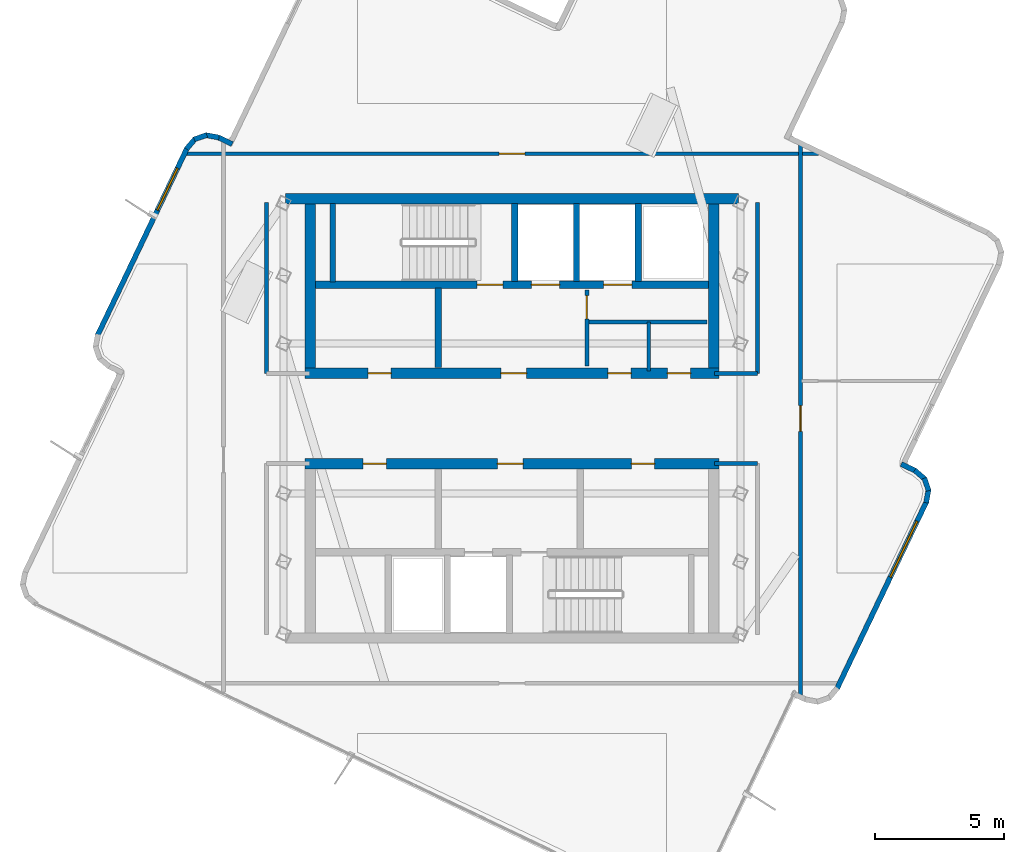
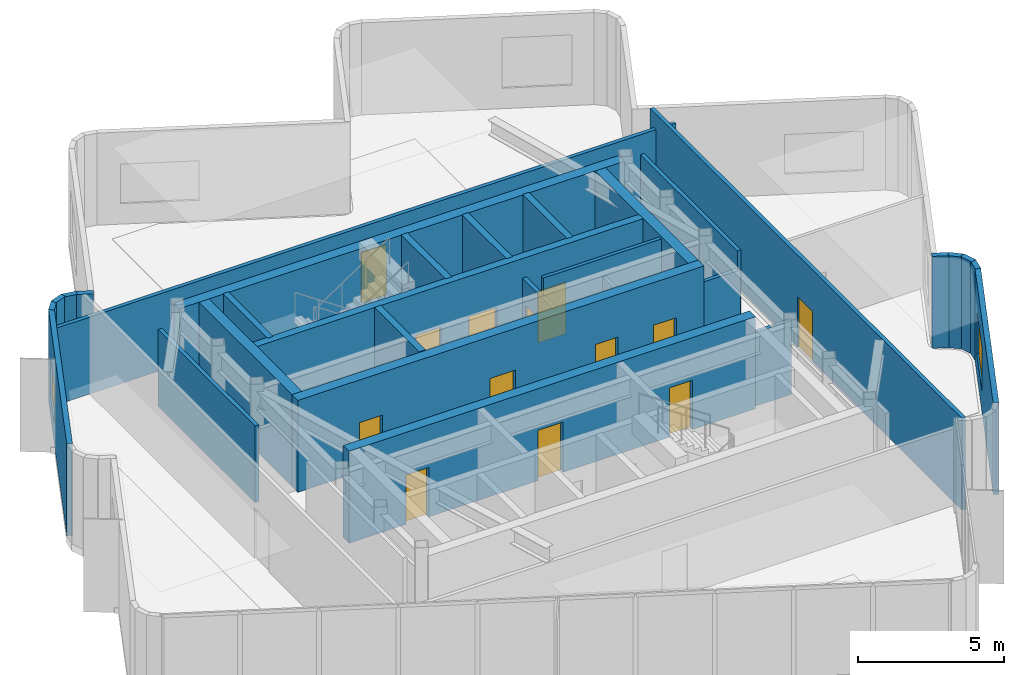
# One storey, part 4 of 8: 30 walls, 13 doors, 2 windows, 15 openings.
"""IFC4 building model written with IfcOpenShell, lengths in metres."""

from ifc_helpers import new_model, si_unit, direction, frame, frame_2d, origin, place, context, subcontext, project, spatial, rectangle, extrude, material, layer, layer_set, type_object, element, fill, save


model = new_model("IFC4")

# Units and contexts
model_context = context("Model", 3, precision=1e-05, world=origin(), true_north=direction((0.0, 1.0)))
body_context = subcontext(model_context, "Body", "Model", "MODEL_VIEW")
ifc_project = project(units=[si_unit("LENGTHUNIT", "METRE"), si_unit("AREAUNIT", "SQUARE_METRE"), si_unit("VOLUMEUNIT", "CUBIC_METRE"), si_unit("PLANEANGLEUNIT", "RADIAN"), si_unit("MASSUNIT", "GRAM", prefix="KILO")], contexts=[model_context])

# Site, building, storey
site_placement = place(None, origin())
site = spatial("IfcSite", under=ifc_project, at=site_placement, CompositionType="ELEMENT")
building_placement = place(site_placement, origin())
building = spatial("IfcBuilding", under=site, at=building_placement, Name="Solmarez Civic Tower", CompositionType="ELEMENT")
storey_placement = place(building_placement, frame((0.0, 0.0, 293.39990234375)))
storey = spatial("IfcBuildingStorey", under=building, at=storey_placement, Name="L79 Crown", CompositionType="ELEMENT", Elevation=293.39990234375)

# Wall
ifc_material_1 = material(Name="Concrete C50/60", Category="concrete")
ifc_layer_1 = layer(ifc_material_1, 0.39990234375)
ifc_layer_set_1 = layer_set([ifc_layer_1], Name="Concrete C50/60")
wall_type_1 = type_object("IfcWallType", Name="WALL-CORE-400", PredefinedType="SHEAR", material=ifc_layer_set_1)
wall_1_placement = place(storey_placement, frame((-8.780029296875, 8.510009765625, 0.0), z_axis=(0.0, 0.0, 1.0), x_axis=(1.0, 0.0, 0.0)))
element("IfcWall", 1, at=wall_1_placement, inside=storey, type_object=wall_type_1, Name="L79 Crown Split-Core Structural Wall NCW-N-L79 Crown", PredefinedType="SHEAR", context=body_context, shape_type="SweptSolid", body=[
    extrude(rectangle(XDim=17.56005859375, YDim=0.39990234375, at=frame_2d((8.780029296875, 0.0))), origin(), (0.0, 0.0, 1.0), 3.840087890625),
])

# Wall, openings, doors
wall_2_placement = place(storey_placement, frame((8.02001953125, 1.75, 0.0), z_axis=(0.0, 0.0, 1.0), x_axis=(-1.0, 0.0, 0.0)))
wall_2 = element("IfcWall", 2, at=wall_2_placement, inside=storey, type_object=wall_type_1, Name="L79 Crown Split-Core Structural Wall NCW-S-L79 Crown", PredefinedType="SHEAR", context=body_context, shape_type="SweptSolid", body=[
    extrude(rectangle(XDim=16.0400390625, YDim=0.39990234375, at=frame_2d((8.02001953125, 0.0))), origin(), (0.0, 0.0, 1.0), 3.840087890625),
])
opening_1_placement = place(wall_2_placement, frame((7.449951171875, 0.0, 0.0)))
opening_1 = element("IfcOpeningElement", 3, at=opening_1_placement, cuts=wall_2, Name="Opening D-04", PredefinedType="OPENING", context=body_context, shape_type="SweptSolid", body=[
    extrude(rectangle(XDim=1.0, YDim=2.10009765625, at=frame_2d((0.5, 1.050048828125))), frame((0.0, 0.2099609375, 0.0), z_axis=(0.0, -1.0, 0.0), x_axis=(1.0, 0.0, 0.0)), (0.0, 0.0, 1.0), 0.419921875),
])
opening_2_placement = place(wall_2_placement, frame((12.699951171875, 0.0, 0.0)))
opening_2 = element("IfcOpeningElement", 4, at=opening_2_placement, cuts=wall_2, Name="Opening D-09", PredefinedType="OPENING", context=body_context, shape_type="SweptSolid", body=[
    extrude(rectangle(XDim=0.89990234375, YDim=2.06005859375, at=frame_2d((0.449951171875, 1.030029296875))), frame((0.0, 0.2099609375, 0.0), z_axis=(0.0, -1.0, 0.0), x_axis=(1.0, 0.0, 0.0)), (0.0, 0.0, 1.0), 0.419921875),
])
opening_3_placement = place(wall_2_placement, frame((3.39990234375, 0.0, 0.0)))
opening_3 = element("IfcOpeningElement", 5, at=opening_3_placement, cuts=wall_2, Name="Opening D-09", PredefinedType="OPENING", context=body_context, shape_type="SweptSolid", body=[
    extrude(rectangle(XDim=0.89990234375, YDim=2.06005859375, at=frame_2d((0.449951171875, 1.030029296875))), frame((0.0, 0.2099609375, 0.0), z_axis=(0.0, -1.0, 0.0), x_axis=(1.0, 0.0, 0.0)), (0.0, 0.0, 1.0), 0.419921875),
])
opening_4_placement = place(wall_2_placement, frame((1.10009765625, 0.0, 0.0)))
opening_4 = element("IfcOpeningElement", 6, at=opening_4_placement, cuts=wall_2, Name="Opening D-09", PredefinedType="OPENING", context=body_context, shape_type="SweptSolid", body=[
    extrude(rectangle(XDim=0.89990234375, YDim=2.06005859375, at=frame_2d((0.449951171875, 1.030029296875))), frame((0.0, 0.2099609375, 0.0), z_axis=(0.0, -1.0, 0.0), x_axis=(1.0, 0.0, 0.0)), (0.0, 0.0, 1.0), 0.419921875),
])
ifc_material_2 = material(Name="Steel-Faced Acoustic Fire Door", Category="steel")
door_type_1 = type_object("IfcDoorType", Name="DOOR-FD60-1000", OperationType="NOTDEFINED", PredefinedType="DOOR", material=ifc_material_2)
door_1_placement = place(opening_1_placement, origin())
door_1 = element("IfcDoor", 7, at=door_1_placement, inside=storey, type_object=door_type_1, Name="L79 Crown North Firefighting Lobby Door", OperationType="SINGLE_SWING_RIGHT", OverallHeight=2.10009765625, OverallWidth=1.0, PredefinedType="DOOR", context=body_context, shape_type="SweptSolid", body=[
    extrude(rectangle(XDim=1.0, YDim=2.10009765625, at=frame_2d((0.5, 1.050048828125))), frame((0.0, 0.02490234375, 0.0), z_axis=(0.0, -1.0, 0.0), x_axis=(1.0, 0.0, 0.0)), (0.0, 0.0, 1.0), 0.050048828125),
])
fill(opening_1, door_1)
ifc_material_3 = material(Name="Fire-Rated Service Core Door", Category="wood")
door_type_2 = type_object("IfcDoorType", Name="DOOR-FD60-900", OperationType="NOTDEFINED", PredefinedType="DOOR", material=ifc_material_3)
door_2_placement = place(opening_2_placement, origin())
door_2 = element("IfcDoor", 8, at=door_2_placement, inside=storey, type_object=door_type_2, Name="L79 Crown Crown Catering Pantry Door", OperationType="SINGLE_SWING_LEFT", OverallHeight=2.06005859375, OverallWidth=0.89990234375, PredefinedType="DOOR", context=body_context, shape_type="SweptSolid", body=[
    extrude(rectangle(XDim=0.89990234375, YDim=2.06005859375, at=frame_2d((0.449951171875, 1.030029296875))), frame((0.0, 0.02490234375, 0.0), z_axis=(0.0, -1.0, 0.0), x_axis=(1.0, 0.0, 0.0)), (0.0, 0.0, 1.0), 0.050048828125),
])
fill(opening_2, door_2)
door_3_placement = place(opening_3_placement, origin())
door_3 = element("IfcDoor", 9, at=door_3_placement, inside=storey, type_object=door_type_2, Name="L79 Crown Core WC Door", OperationType="SINGLE_SWING_LEFT", OverallHeight=2.06005859375, OverallWidth=0.89990234375, PredefinedType="DOOR", context=body_context, shape_type="SweptSolid", body=[
    extrude(rectangle(XDim=0.89990234375, YDim=2.06005859375, at=frame_2d((0.449951171875, 1.030029296875))), frame((0.0, 0.02490234375, 0.0), z_axis=(0.0, -1.0, 0.0), x_axis=(1.0, 0.0, 0.0)), (0.0, 0.0, 1.0), 0.050048828125),
])
fill(opening_3, door_3)
door_4_placement = place(opening_4_placement, origin())
door_4 = element("IfcDoor", 10, at=door_4_placement, inside=storey, type_object=door_type_2, Name="L79 Crown Core CL Door", OperationType="SINGLE_SWING_RIGHT", OverallHeight=2.06005859375, OverallWidth=0.89990234375, PredefinedType="DOOR", context=body_context, shape_type="SweptSolid", body=[
    extrude(rectangle(XDim=0.89990234375, YDim=2.06005859375, at=frame_2d((0.449951171875, 1.030029296875))), frame((0.0, 0.02490234375, 0.0), z_axis=(0.0, -1.0, 0.0), x_axis=(1.0, 0.0, 0.0)), (0.0, 0.0, 1.0), 0.050048828125),
])
fill(opening_4, door_4)

# Walls
for number, where, z_axis, x_axis, name in (
    (11, (-7.820068359375, 1.949951171875, 0.0), (0.0, 0.0, 1.0), (0.0, 1.0, 0.0), "L79 Crown Split-Core Structural Wall NCW-W-L79 Crown"),
    (12, (7.820068359375, 8.31005859375, 0.0), (0.0, 0.0, 1.0), (0.0, -1.0, 0.0), "L79 Crown Split-Core Structural Wall NCW-E-L79 Crown"),
):
    element("IfcWall", number, at=place(storey_placement, frame(where, z_axis=z_axis, x_axis=x_axis)), inside=storey, type_object=wall_type_1, Name=name, PredefinedType="SHEAR", context=body_context, shape_type="SweptSolid", body=[
        extrude(rectangle(XDim=6.360107421875, YDim=0.39990234375, at=frame_2d((3.18017578125, 0.0))), origin(), (0.0, 0.0, 1.0), 3.840087890625),
    ])

# Wall, openings, doors
wall_3_placement = place(storey_placement, frame((-8.02001953125, -1.75, 0.0), z_axis=(0.0, 0.0, 1.0), x_axis=(1.0, 0.0, 0.0)))
wall_3 = element("IfcWall", 13, at=wall_3_placement, inside=storey, type_object=wall_type_1, Name="L79 Crown Split-Core Structural Wall SCW-N-L79 Crown", PredefinedType="SHEAR", context=body_context, shape_type="SweptSolid", body=[
    extrude(rectangle(XDim=16.0400390625, YDim=0.39990234375, at=frame_2d((8.02001953125, 0.0))), origin(), (0.0, 0.0, 1.0), 3.840087890625),
])
opening_5_placement = place(wall_3_placement, frame((7.449951171875, 0.0, 0.0)))
opening_5 = element("IfcOpeningElement", 14, at=opening_5_placement, cuts=wall_3, Name="Opening D-04", PredefinedType="OPENING", context=body_context, shape_type="SweptSolid", body=[
    extrude(rectangle(XDim=1.0, YDim=2.10009765625, at=frame_2d((0.5, 1.050048828125))), frame((0.0, 0.2099609375, 0.0), z_axis=(0.0, -1.0, 0.0), x_axis=(1.0, 0.0, 0.0)), (0.0, 0.0, 1.0), 0.419921875),
])
opening_6_placement = place(wall_3_placement, frame((12.64990234375, 0.0, 0.0)))
opening_6 = element("IfcOpeningElement", 15, at=opening_6_placement, cuts=wall_3, Name="Opening D-09", PredefinedType="OPENING", context=body_context, shape_type="SweptSolid", body=[
    extrude(rectangle(XDim=0.89990234375, YDim=2.06005859375, at=frame_2d((0.449951171875, 1.030029296875))), frame((0.0, 0.2099609375, 0.0), z_axis=(0.0, -1.0, 0.0), x_axis=(1.0, 0.0, 0.0)), (0.0, 0.0, 1.0), 0.419921875),
])
opening_7_placement = place(wall_3_placement, frame((2.25, 0.0, 0.0)))
opening_7 = element("IfcOpeningElement", 16, at=opening_7_placement, cuts=wall_3, Name="Opening D-09", PredefinedType="OPENING", context=body_context, shape_type="SweptSolid", body=[
    extrude(rectangle(XDim=0.89990234375, YDim=2.06005859375, at=frame_2d((0.449951171875, 1.030029296875))), frame((0.0, 0.2099609375, 0.0), z_axis=(0.0, -1.0, 0.0), x_axis=(1.0, 0.0, 0.0)), (0.0, 0.0, 1.0), 0.419921875),
])
door_5_placement = place(opening_5_placement, origin())
door_5 = element("IfcDoor", 17, at=door_5_placement, inside=storey, type_object=door_type_1, Name="L79 Crown South Firefighting Lobby Door", OperationType="SINGLE_SWING_LEFT", OverallHeight=2.10009765625, OverallWidth=1.0, PredefinedType="DOOR", context=body_context, shape_type="SweptSolid", body=[
    extrude(rectangle(XDim=1.0, YDim=2.10009765625, at=frame_2d((0.5, 1.050048828125))), frame((0.0, 0.02490234375, 0.0), z_axis=(0.0, -1.0, 0.0), x_axis=(1.0, 0.0, 0.0)), (0.0, 0.0, 1.0), 0.050048828125),
])
fill(opening_5, door_5)
door_6_placement = place(opening_6_placement, origin())
door_6 = element("IfcDoor", 18, at=door_6_placement, inside=storey, type_object=door_type_2, Name="L79 Crown Freed Hoistway Mailroom Door", OperationType="SINGLE_SWING_LEFT", OverallHeight=2.06005859375, OverallWidth=0.89990234375, PredefinedType="DOOR", context=body_context, shape_type="SweptSolid", body=[
    extrude(rectangle(XDim=0.89990234375, YDim=2.06005859375, at=frame_2d((0.449951171875, 1.030029296875))), frame((0.0, 0.02490234375, 0.0), z_axis=(0.0, -1.0, 0.0), x_axis=(1.0, 0.0, 0.0)), (0.0, 0.0, 1.0), 0.050048828125),
])
fill(opening_6, door_6)
door_7_placement = place(opening_7_placement, origin())
door_7 = element("IfcDoor", 19, at=door_7_placement, inside=storey, type_object=door_type_2, Name="L79 Crown Delegation Tea Pantry Door", OperationType="SINGLE_SWING_RIGHT", OverallHeight=2.06005859375, OverallWidth=0.89990234375, PredefinedType="DOOR", context=body_context, shape_type="SweptSolid", body=[
    extrude(rectangle(XDim=0.89990234375, YDim=2.06005859375, at=frame_2d((0.449951171875, 1.030029296875))), frame((0.0, 0.02490234375, 0.0), z_axis=(0.0, -1.0, 0.0), x_axis=(1.0, 0.0, 0.0)), (0.0, 0.0, 1.0), 0.050048828125),
])
fill(opening_7, door_7)

# Wall, opening, window
ifc_material_4 = material(Name="Precast concrete C40/50", Category="concrete")
ifc_layer_2 = layer(ifc_material_4, 0.199951171875)
ifc_layer_set_2 = layer_set([ifc_layer_2], Name="Precast concrete C40/50")
wall_type_2 = type_object("IfcWallType", Name="WALL-EXT-200", PredefinedType="SOLIDWALL", material=ifc_layer_set_2)
wall_4_placement = place(storey_placement, frame((-16.06396484375, 3.218017578125, 0.0), z_axis=(0.0, 0.0, 1.0), x_axis=(0.431506971387, 0.902109601791, 0.0)))
wall_4 = element("IfcWall", 20, at=wall_4_placement, inside=storey, type_object=wall_type_2, Name="L79 Crown Exterior Precast Wall 17", PredefinedType="SOLIDWALL", context=body_context, shape_type="SweptSolid", body=[
    extrude(rectangle(XDim=8.0556640625, YDim=0.199951171875, at=frame_2d((4.02783203125, 0.0))), origin(), (0.0, 0.0, 1.0), 3.840087890625),
])
opening_8_placement = place(wall_4_placement, frame((5.383056640625, 0.0, 0.85009765625)))
opening_8 = element("IfcOpeningElement", 21, at=opening_8_placement, cuts=wall_4, Name="Opening W-12", PredefinedType="OPENING", context=body_context, shape_type="SweptSolid", body=[
    extrude(rectangle(XDim=1.800048828125, YDim=1.60009765625, at=frame_2d((0.89990234375, 0.800048828125))), frame((0.0, 0.10986328125, 0.0), z_axis=(0.0, -1.0, 0.0), x_axis=(1.0, 0.0, 0.0)), (0.0, 0.0, 1.0), 0.219970703125),
])
ifc_material_5 = material(Name="Solar Control Bronze-Tinted Insulating Glass", Category="glass")
window_type_1 = type_object("IfcWindowType", Name="WIN-1800X1600", PartitioningType="SINGLE_PANEL", PredefinedType="WINDOW", material=ifc_material_5)
window_1_placement = place(opening_8_placement, origin())
window_1 = element("IfcWindow", 22, at=window_1_placement, inside=storey, type_object=window_type_1, Name="L79 Crown Exterior Facade Window 17", OverallHeight=1.60009765625, OverallWidth=1.800048828125, PartitioningType="SINGLE_PANEL", PredefinedType="WINDOW", context=body_context, shape_type="SweptSolid", body=[
    extrude(rectangle(XDim=1.800048828125, YDim=1.60009765625, at=frame_2d((0.89990234375, 0.800048828125))), frame((0.0, 0.030029296875, 0.0), z_axis=(0.0, -1.0, 0.0), x_axis=(1.0, 0.0, 0.0)), (0.0, 0.0, 1.0), 0.06005859375),
])
fill(opening_8, window_1)

# Walls
wall_5_placement = place(storey_placement, frame((-12.614990234375, 10.443115234375, 0.0), z_axis=(0.0, 0.0, 1.0), x_axis=(0.649072802024, 0.760726296162, 0.0)))
element("IfcWall", 23, at=wall_5_placement, inside=storey, type_object=wall_type_2, Name="L79 Crown Exterior Precast Wall 18", PredefinedType="SOLIDWALL", context=body_context, shape_type="SweptSolid", body=[
    extrude(rectangle(XDim=0.52685546875, YDim=0.199951171875, at=frame_2d((0.263427734375, 0.0))), origin(), (0.0, 0.0, 1.0), 3.840087890625),
])
wall_6_placement = place(storey_placement, frame((-12.31298828125, 10.81689453125, 0.0), z_axis=(0.0, 0.0, 1.0), x_axis=(0.943836182575, 0.3304137716, 0.0)))
element("IfcWall", 24, at=wall_6_placement, inside=storey, type_object=wall_type_2, Name="L79 Crown Exterior Precast Wall 19", PredefinedType="SOLIDWALL", context=body_context, shape_type="SweptSolid", body=[
    extrude(rectangle(XDim=0.514892578125, YDim=0.199951171875, at=frame_2d((0.25732421875, 0.0))), origin(), (0.0, 0.0, 1.0), 3.840087890625),
])
wall_7_placement = place(storey_placement, frame((-11.8759765625, 10.98388671875, 0.0), z_axis=(0.0, 0.0, 1.0), x_axis=(0.983070163766, -0.183229509397, 0.0)))
element("IfcWall", 25, at=wall_7_placement, inside=storey, type_object=wall_type_2, Name="L79 Crown Exterior Precast Wall 20", PredefinedType="SOLIDWALL", context=body_context, shape_type="SweptSolid", body=[
    extrude(rectangle(XDim=0.529052734375, YDim=0.199951171875, at=frame_2d((0.2646484375, 0.0))), origin(), (0.0, 0.0, 1.0), 3.840087890625),
])
wall_8_placement = place(storey_placement, frame((-11.404052734375, 10.903076171875, 0.0), z_axis=(0.0, 0.0, 1.0), x_axis=(0.901682192305, -0.432399380296, 0.0)))
element("IfcWall", 26, at=wall_8_placement, inside=storey, type_object=wall_type_2, Name="L79 Crown Exterior Precast Wall 21", PredefinedType="SOLIDWALL", context=body_context, shape_type="SweptSolid", body=[
    extrude(rectangle(XDim=0.622314453125, YDim=0.199951171875, at=frame_2d((0.31103515625, 0.0))), origin(), (0.0, 0.0, 1.0), 3.840087890625),
])
wall_9_placement = place(storey_placement, frame((15.0849609375, -1.764892578125, 0.0), z_axis=(0.0, 0.0, 1.0), x_axis=(0.901069775832, -0.433674139282, 0.0)))
element("IfcWall", 27, at=wall_9_placement, inside=storey, type_object=wall_type_2, Name="L79 Crown Exterior Precast Wall 49", PredefinedType="SOLIDWALL", context=body_context, shape_type="SweptSolid", body=[
    extrude(rectangle(XDim=0.62255859375, YDim=0.199951171875, at=frame_2d((0.311279296875, 0.0))), origin(), (0.0, 0.0, 1.0), 3.840087890625),
])
wall_10_placement = place(storey_placement, frame((15.60400390625, -2.008056640625, 0.0), z_axis=(0.0, 0.0, 1.0), x_axis=(0.760726296162, -0.649072802024, 0.0)))
element("IfcWall", 28, at=wall_10_placement, inside=storey, type_object=wall_type_2, Name="L79 Crown Exterior Precast Wall 50", PredefinedType="SOLIDWALL", context=body_context, shape_type="SweptSolid", body=[
    extrude(rectangle(XDim=0.52685546875, YDim=0.199951171875, at=frame_2d((0.263427734375, 0.0))), origin(), (0.0, 0.0, 1.0), 3.840087890625),
])
wall_11_placement = place(storey_placement, frame((15.97802734375, -2.31005859375, 0.0), z_axis=(0.0, 0.0, 1.0), x_axis=(0.330139130112, -0.943932282936, 0.0)))
element("IfcWall", 29, at=wall_11_placement, inside=storey, type_object=wall_type_2, Name="L79 Crown Exterior Precast Wall 51", PredefinedType="SOLIDWALL", context=body_context, shape_type="SweptSolid", body=[
    extrude(rectangle(XDim=0.5146484375, YDim=0.199951171875, at=frame_2d((0.25732421875, 0.0))), origin(), (0.0, 0.0, 1.0), 3.840087890625),
])
wall_12_placement = place(storey_placement, frame((16.14501953125, -2.7470703125, 0.0), z_axis=(0.0, 0.0, 1.0), x_axis=(-0.183562644201, -0.983008014033, 0.0)))
element("IfcWall", 30, at=wall_12_placement, inside=storey, type_object=wall_type_2, Name="L79 Crown Exterior Precast Wall 52", PredefinedType="SOLIDWALL", context=body_context, shape_type="SweptSolid", body=[
    extrude(rectangle(XDim=0.528076171875, YDim=0.199951171875, at=frame_2d((0.26416015625, 0.0))), origin(), (0.0, 0.0, 1.0), 3.840087890625),
])

# Wall, opening, window
wall_13_placement = place(storey_placement, frame((16.06396484375, -3.218017578125, 0.0), z_axis=(0.0, 0.0, 1.0), x_axis=(-0.431506971387, -0.902109601791, 0.0)))
wall_13 = element("IfcWall", 31, at=wall_13_placement, inside=storey, type_object=wall_type_2, Name="L79 Crown Exterior Precast Wall 53", PredefinedType="SOLIDWALL", context=body_context, shape_type="SweptSolid", body=[
    extrude(rectangle(XDim=8.0556640625, YDim=0.199951171875, at=frame_2d((4.02783203125, 0.0))), origin(), (0.0, 0.0, 1.0), 3.840087890625),
])
opening_9_placement = place(wall_13_placement, frame((0.85009765625, 0.0, 0.85009765625)))
opening_9 = element("IfcOpeningElement", 32, at=opening_9_placement, cuts=wall_13, Name="Opening W-06", PredefinedType="OPENING", context=body_context, shape_type="SweptSolid", body=[
    extrude(rectangle(XDim=2.39990234375, YDim=1.85009765625, at=frame_2d((1.199951171875, 0.925048828125))), frame((0.0, 0.10986328125, 0.0), z_axis=(0.0, -1.0, 0.0), x_axis=(1.0, 0.0, 0.0)), (0.0, 0.0, 1.0), 0.219970703125),
])
window_type_2 = type_object("IfcWindowType", Name="WIN-2400X1850", PartitioningType="SINGLE_PANEL", PredefinedType="WINDOW", material=ifc_material_5)
window_2_placement = place(opening_9_placement, origin())
window_2 = element("IfcWindow", 33, at=window_2_placement, inside=storey, type_object=window_type_2, Name="L79 Crown Exterior Facade Window 53", OverallHeight=1.85009765625, OverallWidth=2.39990234375, PartitioningType="SINGLE_PANEL", PredefinedType="WINDOW", context=body_context, shape_type="SweptSolid", body=[
    extrude(rectangle(XDim=2.39990234375, YDim=1.85009765625, at=frame_2d((1.199951171875, 0.925048828125))), frame((0.0, 0.030029296875, 0.0), z_axis=(0.0, -1.0, 0.0), x_axis=(1.0, 0.0, 0.0)), (0.0, 0.0, 1.0), 0.06005859375),
])
fill(opening_9, window_2)

# Walls
ifc_material_6 = material(Name="Gypsum Board Acoustic Steel-Stud Partition", Category="steel")
ifc_layer_3 = layer(ifc_material_6, 0.14990234375)
ifc_layer_set_3 = layer_set([ifc_layer_3], Name="Gypsum Board Acoustic Steel-Stud Partition")
wall_type_3 = type_object("IfcWallType", Name="WALL-INT-FIRE-150", PredefinedType="PARTITIONING", material=ifc_layer_set_3)
wall_14_placement = place(storey_placement, frame((-9.52001953125, 1.75, 0.0), z_axis=(0.0, 0.0, 1.0), x_axis=(0.0, 1.0, 0.0)))
element("IfcWall", 34, at=wall_14_placement, inside=storey, type_object=wall_type_3, Name="L79 Crown Interior Partition CHW-L79 Crown-WN1", PredefinedType="PARTITIONING", context=body_context, shape_type="SweptSolid", body=[
    extrude(rectangle(XDim=6.6298828125, YDim=0.14990234375, at=frame_2d((3.31494140625, 0.0))), origin(), (0.0, 0.0, 1.0), 3.210205078125),
])
wall_15_placement = place(storey_placement, frame((9.52001953125, 1.75, 0.0), z_axis=(0.0, 0.0, 1.0), x_axis=(0.0, 1.0, 0.0)))
element("IfcWall", 35, at=wall_15_placement, inside=storey, type_object=wall_type_3, Name="L79 Crown Interior Partition CHW-L79 Crown-EN1", PredefinedType="PARTITIONING", context=body_context, shape_type="SweptSolid", body=[
    extrude(rectangle(XDim=6.6298828125, YDim=0.14990234375, at=frame_2d((3.31494140625, 0.0))), origin(), (0.0, 0.0, 1.0), 3.840087890625),
])
for number, where, z_axis, x_axis, name in (
    (36, (7.85009765625, 1.75, 0.0), (0.0, 0.0, 1.0), (1.0, 0.0, 0.0), "L79 Crown Interior Partition CHW-L79 Crown-EN3"),
    (37, (7.85009765625, -1.75, 0.0), (0.0, 0.0, 1.0), (1.0, 0.0, 0.0), "L79 Crown Interior Partition CHW-L79 Crown-ES3"),
):
    element("IfcWall", number, at=place(storey_placement, frame(where, z_axis=z_axis, x_axis=x_axis)), inside=storey, type_object=wall_type_3, Name=name, PredefinedType="PARTITIONING", context=body_context, shape_type="SweptSolid", body=[
        extrude(rectangle(XDim=1.669921875, YDim=0.14990234375, at=frame_2d((0.8349609375, 0.0))), origin(), (0.0, 0.0, 1.0), 3.070068359375),
    ])

# Wall, opening, door
wall_16_placement = place(storey_placement, frame((11.179931640625, 10.59912109375, 0.0), z_axis=(0.0, 0.0, 1.0), x_axis=(0.0, -1.0, 0.0)))
wall_16 = element("IfcWall", 38, at=wall_16_placement, inside=storey, type_object=wall_type_3, Name="L79 Crown Interior Partition PT-L79 Crown-E", PredefinedType="PARTITIONING", context=body_context, shape_type="SweptSolid", body=[
    extrude(rectangle(XDim=21.322021484375, YDim=0.14990234375, at=frame_2d((10.6611328125, 0.0))), origin(), (0.0, 0.0, 1.0), 3.840087890625),
])
opening_10_placement = place(wall_16_placement, frame((10.09912109375, 0.0, 0.0)))
opening_10 = element("IfcOpeningElement", 39, at=opening_10_placement, cuts=wall_16, Name="Opening D-04", PredefinedType="OPENING", context=body_context, shape_type="SweptSolid", body=[
    extrude(rectangle(XDim=1.0, YDim=2.10009765625, at=frame_2d((0.5, 1.050048828125))), frame((0.0, 0.0849609375, 0.0), z_axis=(0.0, -1.0, 0.0), x_axis=(1.0, 0.0, 0.0)), (0.0, 0.0, 1.0), 0.169921875),
])
door_8_placement = place(opening_10_placement, origin())
door_8 = element("IfcDoor", 40, at=door_8_placement, inside=storey, type_object=door_type_1, Name="L79 Crown Botanical Conservatory Garden Door", OperationType="SINGLE_SWING_LEFT", OverallHeight=2.10009765625, OverallWidth=1.0, PredefinedType="DOOR", context=body_context, shape_type="SweptSolid", body=[
    extrude(rectangle(XDim=1.0, YDim=2.10009765625, at=frame_2d((0.5, 1.050048828125))), frame((0.0, 0.02490234375, 0.0), z_axis=(0.0, -1.0, 0.0), x_axis=(1.0, 0.0, 0.0)), (0.0, 0.0, 1.0), 0.050048828125),
])
fill(opening_10, door_8)

wall_17_placement = place(storey_placement, frame((-12.6240234375, 10.260009765625, 0.0), z_axis=(0.0, 0.0, 1.0), x_axis=(1.0, 0.0, 0.0)))
wall_17 = element("IfcWall", 41, at=wall_17_placement, inside=storey, type_object=wall_type_3, Name="L79 Crown Interior Partition PT-L79 Crown-N", PredefinedType="PARTITIONING", context=body_context, shape_type="SweptSolid", body=[
    extrude(rectangle(XDim=24.511962890625, YDim=0.14990234375, at=frame_2d((12.255859375, 0.0))), origin(), (0.0, 0.0, 1.0), 3.210205078125),
])
opening_11_placement = place(wall_17_placement, frame((12.1240234375, 0.0, 0.0)))
opening_11 = element("IfcOpeningElement", 42, at=opening_11_placement, cuts=wall_17, Name="Opening D-04", PredefinedType="OPENING", context=body_context, shape_type="SweptSolid", body=[
    extrude(rectangle(XDim=1.0, YDim=2.10009765625, at=frame_2d((0.5, 1.050048828125))), frame((0.0, 0.0849609375, 0.0), z_axis=(0.0, -1.0, 0.0), x_axis=(1.0, 0.0, 0.0)), (0.0, 0.0, 1.0), 0.169921875),
])
door_9_placement = place(opening_11_placement, origin())
door_9 = element("IfcDoor", 43, at=door_9_placement, inside=storey, type_object=door_type_1, Name="L79 Crown Civic Reception Lounge Door", OperationType="SINGLE_SWING_RIGHT", OverallHeight=2.10009765625, OverallWidth=1.0, PredefinedType="DOOR", context=body_context, shape_type="SweptSolid", body=[
    extrude(rectangle(XDim=1.0, YDim=2.10009765625, at=frame_2d((0.5, 1.050048828125))), frame((0.0, 0.02490234375, 0.0), z_axis=(0.0, -1.0, 0.0), x_axis=(1.0, 0.0, 0.0)), (0.0, 0.0, 1.0), 0.050048828125),
])
fill(opening_11, door_9)

ifc_layer_4 = layer(ifc_material_6, 0.159912109375)
ifc_layer_set_4 = layer_set([ifc_layer_4], Name="Gypsum Board Acoustic Steel-Stud Partition")
wall_type_4 = type_object("IfcWallType", Name="WALL-INT-SHAFT-160", PredefinedType="PARTITIONING", material=ifc_layer_set_4)
wall_18_placement = place(storey_placement, frame((2.89990234375, 2.0400390625, 0.0), z_axis=(0.0, 0.0, 1.0), x_axis=(0.0, 1.0, 0.0)))
wall_18 = element("IfcWall", 44, at=wall_18_placement, inside=storey, type_object=wall_type_4, Name="L79 Crown Interior Partition SHW-NL2-L79 Crown", PredefinedType="PARTITIONING", context=body_context, shape_type="SweptSolid", body=[
    extrude(rectangle(XDim=2.93994140625, YDim=0.159912109375, at=frame_2d((1.469970703125, 0.0))), origin(), (0.0, 0.0, 1.0), 3.070068359375),
])
opening_12_placement = place(wall_18_placement, frame((1.820068359375, 0.0, 0.0)))
opening_12 = element("IfcOpeningElement", 45, at=opening_12_placement, cuts=wall_18, Name="Opening D-09", PredefinedType="OPENING", context=body_context, shape_type="SweptSolid", body=[
    extrude(rectangle(XDim=0.89990234375, YDim=2.06005859375, at=frame_2d((0.449951171875, 1.030029296875))), frame((0.0, 0.08984375, 0.0), z_axis=(0.0, -1.0, 0.0), x_axis=(1.0, 0.0, 0.0)), (0.0, 0.0, 1.0), 0.179931640625),
])
door_10_placement = place(opening_12_placement, origin())
door_10 = element("IfcDoor", 46, at=door_10_placement, inside=storey, type_object=door_type_2, Name="L79 Crown Service Lift Lobby Door", OperationType="SINGLE_SWING_LEFT", OverallHeight=2.06005859375, OverallWidth=0.89990234375, PredefinedType="DOOR", context=body_context, shape_type="SweptSolid", body=[
    extrude(rectangle(XDim=0.89990234375, YDim=2.06005859375, at=frame_2d((0.449951171875, 1.030029296875))), frame((0.0, 0.02490234375, 0.0), z_axis=(0.0, -1.0, 0.0), x_axis=(1.0, 0.0, 0.0)), (0.0, 0.0, 1.0), 0.050048828125),
])
fill(opening_12, door_10)

# Walls
ifc_layer_5 = layer(ifc_material_6, 0.137939453125)
ifc_layer_set_5 = layer_set([ifc_layer_5], Name="Gypsum Board Acoustic Steel-Stud Partition")
wall_type_5 = type_object("IfcWallType", Name="WALL-INT-WET-140", PredefinedType="PARTITIONING", material=ifc_layer_set_5)
wall_19_placement = place(storey_placement, frame((2.89990234375, 3.739990234375, 0.0), z_axis=(0.0, 0.0, 1.0), x_axis=(1.0, 0.0, 0.0)))
element("IfcWall", 47, at=wall_19_placement, inside=storey, type_object=wall_type_5, Name="L79 Crown Interior Partition SHW-SVH-L79 Crown", PredefinedType="PARTITIONING", context=body_context, shape_type="SweptSolid", body=[
    extrude(rectangle(XDim=4.650146484375, YDim=0.137939453125, at=frame_2d((2.3251953125, 0.0))), origin(), (0.0, 0.0, 1.0), 3.840087890625),
])
wall_20_placement = place(storey_placement, frame((5.300048828125, 1.85009765625, 0.0), z_axis=(0.0, 0.0, 1.0), x_axis=(0.0, 1.0, 0.0)))
element("IfcWall", 48, at=wall_20_placement, inside=storey, type_object=wall_type_5, Name="L79 Crown Interior Partition PT-NCSV-L79 Crown", PredefinedType="PARTITIONING", context=body_context, shape_type="SweptSolid", body=[
    extrude(rectangle(XDim=1.889892578125, YDim=0.137939453125, at=frame_2d((0.94482421875, 0.0))), origin(), (0.0, 0.0, 1.0), 3.070068359375),
])

# Wall, openings, doors
ifc_layer_6 = layer(ifc_material_1, 0.300048828125)
ifc_layer_set_6 = layer_set([ifc_layer_6], Name="Concrete C50/60")
wall_type_6 = type_object("IfcWallType", Name="WALL-STR-300", PredefinedType="SOLIDWALL", material=ifc_layer_set_6)
wall_21_placement = place(storey_placement, frame((7.6201171875, 5.179931640625, 0.0), z_axis=(0.0, 0.0, 1.0), x_axis=(-1.0, 0.0, 0.0)))
wall_21 = element("IfcWall", 49, at=wall_21_placement, inside=storey, type_object=wall_type_6, Name="L79 Crown Split-Core Structural Wall NCW-M-L79 Crown", PredefinedType="SOLIDWALL", context=body_context, shape_type="SweptSolid", body=[
    extrude(rectangle(XDim=15.240234375, YDim=0.300048828125, at=frame_2d((7.6201171875, 0.0))), origin(), (0.0, 0.0, 1.0), 3.840087890625),
])
opening_13_placement = place(wall_21_placement, frame((5.77001953125, 0.0, 0.0)))
opening_13 = element("IfcOpeningElement", 50, at=opening_13_placement, cuts=wall_21, Name="Opening LD-02", PredefinedType="OPENING", context=body_context, shape_type="SweptSolid", body=[
    extrude(rectangle(XDim=1.10009765625, YDim=2.14990234375, at=frame_2d((0.550048828125, 1.074951171875))), frame((0.0, 0.159912109375, 0.0), z_axis=(0.0, -1.0, 0.0), x_axis=(1.0, 0.0, 0.0)), (0.0, 0.0, 1.0), 0.320068359375),
])
opening_14_placement = place(wall_21_placement, frame((2.969970703125, 0.0, 0.0)))
opening_14 = element("IfcOpeningElement", 51, at=opening_14_placement, cuts=wall_21, Name="Opening LD-03", PredefinedType="OPENING", context=body_context, shape_type="SweptSolid", body=[
    extrude(rectangle(XDim=1.10009765625, YDim=2.14990234375, at=frame_2d((0.550048828125, 1.074951171875))), frame((0.0, 0.159912109375, 0.0), z_axis=(0.0, -1.0, 0.0), x_axis=(1.0, 0.0, 0.0)), (0.0, 0.0, 1.0), 0.320068359375),
])
opening_15_placement = place(wall_21_placement, frame((7.969970703125, 0.0, 0.0)))
opening_15 = element("IfcOpeningElement", 52, at=opening_15_placement, cuts=wall_21, Name="Opening D-05", PredefinedType="OPENING", context=body_context, shape_type="SweptSolid", body=[
    extrude(rectangle(XDim=1.0, YDim=2.10009765625, at=frame_2d((0.5, 1.050048828125))), frame((0.0, 0.159912109375, 0.0), z_axis=(0.0, -1.0, 0.0), x_axis=(1.0, 0.0, 0.0)), (0.0, 0.0, 1.0), 0.320068359375),
])
ifc_material_7 = material(Name="Fire-Rated Stairwell Exit Door", Category="wood")
door_type_3 = type_object("IfcDoorType", Name="DOOR-FD90-1000", OperationType="NOTDEFINED", PredefinedType="DOOR", material=ifc_material_7)
door_11_placement = place(opening_15_placement, origin())
door_11 = element("IfcDoor", 53, at=door_11_placement, inside=storey, type_object=door_type_3, Name="L79 Crown North Exit Stair Door ST-1", OperationType="SINGLE_SWING_RIGHT", OverallHeight=2.10009765625, OverallWidth=1.0, PredefinedType="DOOR", context=body_context, shape_type="SweptSolid", body=[
    extrude(rectangle(XDim=1.0, YDim=2.10009765625, at=frame_2d((0.5, 1.050048828125))), frame((0.0, 0.02490234375, 0.0), z_axis=(0.0, -1.0, 0.0), x_axis=(1.0, 0.0, 0.0)), (0.0, 0.0, 1.0), 0.050048828125),
])
fill(opening_15, door_11)
ifc_material_8 = material(Name="Stainless Firefighting Lift Landing Sliding Door", Category="aluminium")
door_type_4 = type_object("IfcDoorType", Name="DOOR-LD-FF-1100", OperationType="DOUBLE_DOOR_SLIDING", PredefinedType="DOOR", material=ifc_material_8)
door_12_placement = place(opening_13_placement, origin())
door_12 = element("IfcDoor", 54, at=door_12_placement, inside=storey, type_object=door_type_4, Name="L79 Crown Firefighting Lift Landing Door FFL-1", OperationType="DOUBLE_DOOR_SLIDING", OverallHeight=2.14990234375, OverallWidth=1.10009765625, PredefinedType="DOOR", context=body_context, shape_type="SweptSolid", body=[
    extrude(rectangle(XDim=1.10009765625, YDim=2.14990234375, at=frame_2d((0.550048828125, 1.074951171875))), frame((0.0, 0.02490234375, 0.0), z_axis=(0.0, -1.0, 0.0), x_axis=(1.0, 0.0, 0.0)), (0.0, 0.0, 1.0), 0.050048828125),
])
fill(opening_13, door_12)
ifc_material_9 = material(Name="Stainless Stretcher Lift Landing Sliding Door", Category="aluminium")
door_type_5 = type_object("IfcDoorType", Name="DOOR-LD-SV-1100", OperationType="DOUBLE_DOOR_SLIDING", PredefinedType="DOOR", material=ifc_material_9)
door_13_placement = place(opening_14_placement, origin())
door_13 = element("IfcDoor", 55, at=door_13_placement, inside=storey, type_object=door_type_5, Name="L79 Crown Service Stretcher Lift Landing Door SVL-1", OperationType="DOUBLE_DOOR_SLIDING", OverallHeight=2.14990234375, OverallWidth=1.10009765625, PredefinedType="DOOR", context=body_context, shape_type="SweptSolid", body=[
    extrude(rectangle(XDim=1.10009765625, YDim=2.14990234375, at=frame_2d((0.550048828125, 1.074951171875))), frame((0.0, 0.02490234375, 0.0), z_axis=(0.0, -1.0, 0.0), x_axis=(1.0, 0.0, 0.0)), (0.0, 0.0, 1.0), 0.050048828125),
])
fill(opening_14, door_13)

# Walls
wall_22_placement = place(storey_placement, frame((-6.949951171875, 5.280029296875, 0.0), z_axis=(0.0, 0.0, 1.0), x_axis=(0.0, 1.0, 0.0)))
element("IfcWall", 56, at=wall_22_placement, inside=storey, type_object=wall_type_6, Name="L79 Crown Split-Core Structural Wall SHW-NW-L79 Crown", PredefinedType="SOLIDWALL", context=body_context, shape_type="SweptSolid", body=[
    extrude(rectangle(XDim=3.06005859375, YDim=0.219970703125, at=frame_2d((1.530029296875, 0.0))), origin(), (0.0, 0.0, 1.0), 3.840087890625),
])
for number, where, z_axis, x_axis, name in (
    (57, (0.10009765625, 5.300048828125, 0.0), (0.0, 0.0, 1.0), (0.0, 1.0, 0.0), "L79 Crown Split-Core Structural Wall SHW-N1-L79 Crown"),
    (58, (2.5, 5.300048828125, 0.0), (0.0, 0.0, 1.0), (0.0, 1.0, 0.0), "L79 Crown Split-Core Structural Wall SHW-N2-L79 Crown"),
    (59, (4.89990234375, 5.300048828125, 0.0), (0.0, 0.0, 1.0), (0.0, 1.0, 0.0), "L79 Crown Split-Core Structural Wall SHW-N3-L79 Crown"),
):
    element("IfcWall", number, at=place(storey_placement, frame(where, z_axis=z_axis, x_axis=x_axis)), inside=storey, type_object=wall_type_6, Name=name, PredefinedType="SOLIDWALL", context=body_context, shape_type="SweptSolid", body=[
        extrude(rectangle(XDim=3.0400390625, YDim=0.25, at=frame_2d((1.52001953125, 0.0))), origin(), (0.0, 0.0, 1.0), 3.840087890625),
    ])
wall_23_placement = place(storey_placement, frame((-2.85009765625, 1.97998046875, 0.0), z_axis=(0.0, 0.0, 1.0), x_axis=(0.0, 1.0, 0.0)))
element("IfcWall", 60, at=wall_23_placement, inside=storey, type_object=wall_type_6, Name="L79 Crown Split-Core Structural Wall SHW-NL1-L79 Crown", PredefinedType="SOLIDWALL", context=body_context, shape_type="SweptSolid", body=[
    extrude(rectangle(XDim=3.070068359375, YDim=0.25, at=frame_2d((1.53515625, 0.0))), origin(), (0.0, 0.0, 1.0), 3.840087890625),
])

save(model, "model.ifc")
